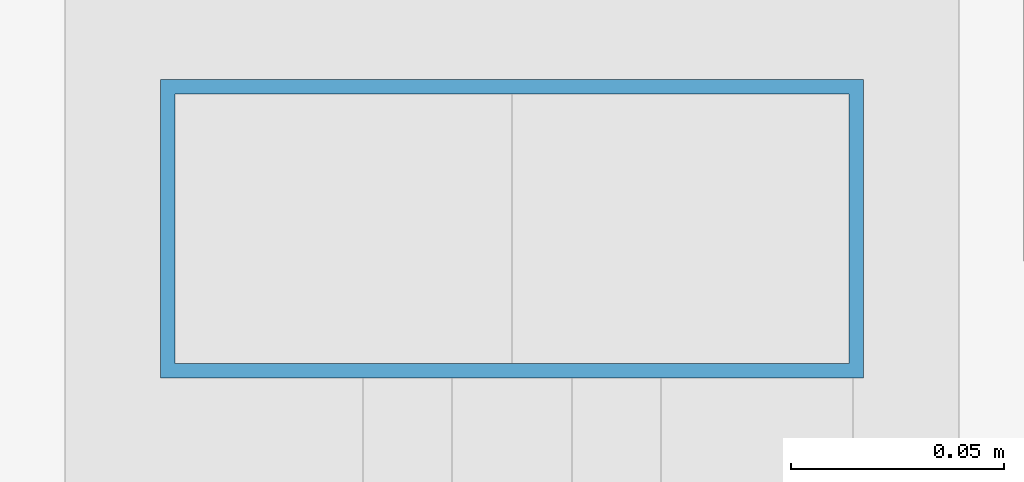
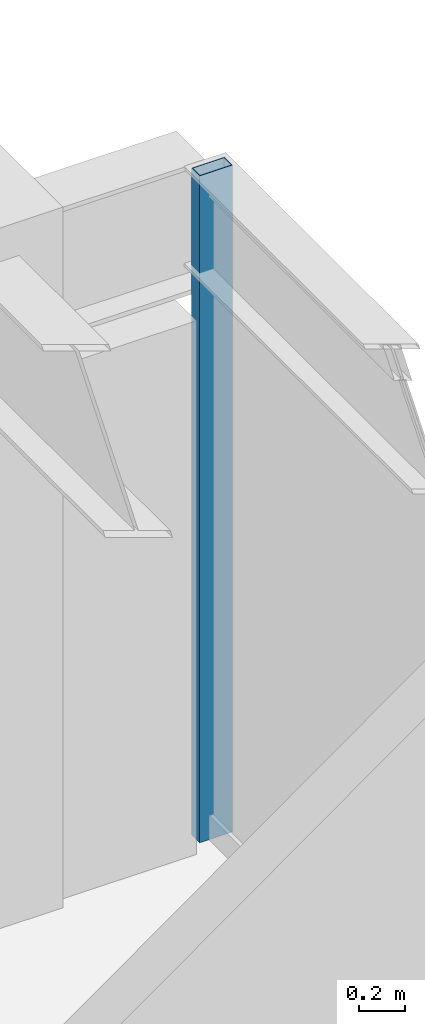
# One storey, part 21 of 31: 1 member, 1 element without a shape of its own.
"""IFC4 building model written with IfcOpenShell, lengths in metres."""

from ifc_helpers import new_model, si_unit, direction, frame, origin, origin_2d, place, context, subcontext, project, spatial, hollow_rectangle, extrude, material, layer, layer_set, material_profile, profile_set, type_object, element, aggregate, save


model = new_model("IFC4")

# Units and contexts
model_context = context("Model", 3, precision=1e-05, world=origin(), true_north=direction((0.0, 1.0)))
body_context = subcontext(model_context, "Body", "Model", "MODEL_VIEW")
ifc_project = project(units=[si_unit("LENGTHUNIT", "METRE"), si_unit("AREAUNIT", "SQUARE_METRE"), si_unit("VOLUMEUNIT", "CUBIC_METRE"), si_unit("PLANEANGLEUNIT", "RADIAN"), si_unit("MASSUNIT", "GRAM", prefix="KILO")], contexts=[model_context])

# Site, building, storey
site_placement = place(None, origin())
site = spatial("IfcSite", under=ifc_project, at=site_placement, CompositionType="ELEMENT")
building_placement = place(site_placement, origin())
building = spatial("IfcBuilding", under=site, at=building_placement, Name="Surkhivell Harbour Commons", CompositionType="ELEMENT")
storey_placement = place(building_placement, frame((0.0, 0.0, 270.0)))
storey = spatial("IfcBuildingStorey", under=building, at=storey_placement, Name="L70", CompositionType="ELEMENT", Elevation=270.0)

# Curtain wall, member
ifc_material_1 = material(Name="Anodised pale-metal aluminium and insulated glazing", Category="aluminium")
ifc_layer = layer(ifc_material_1, 0.1650390625)
ifc_layer_set = layer_set([ifc_layer], Name="Anodised pale-metal aluminium and insulated glazing")
curtain_wall_type = type_object("IfcCurtainWallType", Name="CW-SYS-BOX", PredefinedType="NOTDEFINED", material=ifc_layer_set)
curtain_wall_placement = place(storey_placement, origin())
curtain_wall = element("IfcCurtainWall", 1, at=curtain_wall_placement, inside=storey, type_object=curtain_wall_type, Name="L70 Curtain Wall CW-L70-BOX01", PredefinedType="NOTDEFINED")
ifc_material_2 = material(Name="Champagne anodised aluminium alloy 6063-T6", Category="aluminium")
ifc_material_profile = material_profile(ifc_material_2, hollow_rectangle(XDim=0.070068359375, YDim=0.1650390625, WallThickness=0.00341796875, at=origin_2d()), Name="ALU-MULL-70x165")
ifc_profile_set = profile_set([ifc_material_profile], Name="Champagne anodised aluminium alloy 6063-T6")
member_type = type_object("IfcMemberType", Name="CWM-165", PredefinedType="MULLION", material=ifc_profile_set)
member_placement = place(storey_placement, frame((17.39990234375, 10.614990234375, 0.0), z_axis=(0.0, 0.0, 1.0), x_axis=(0.0, 1.0, 0.0)))
member = element("IfcMember", 2, at=member_placement, type_object=member_type, Name="CW-BOX mullion 3", PredefinedType="MULLION", context=body_context, shape_type="SweptSolid", body=[
    extrude(hollow_rectangle(XDim=0.070068359375, YDim=0.1650390625, WallThickness=0.00341796875, at=origin_2d()), origin(), (0.0, 0.0, 1.0), 3.570068359375),
])
aggregate(curtain_wall, [member])

save(model, "model.ifc")
